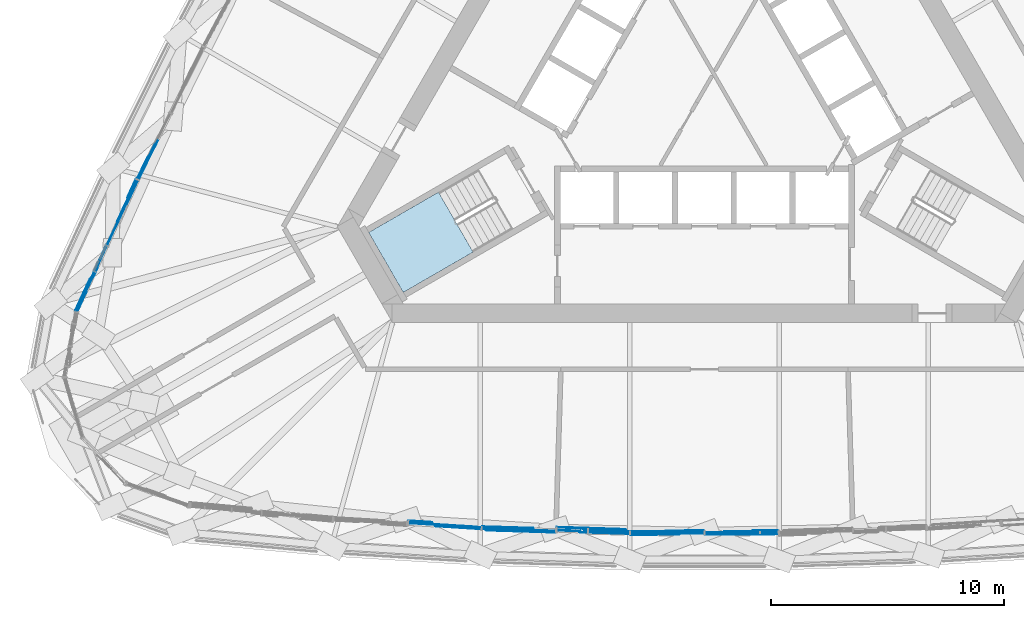
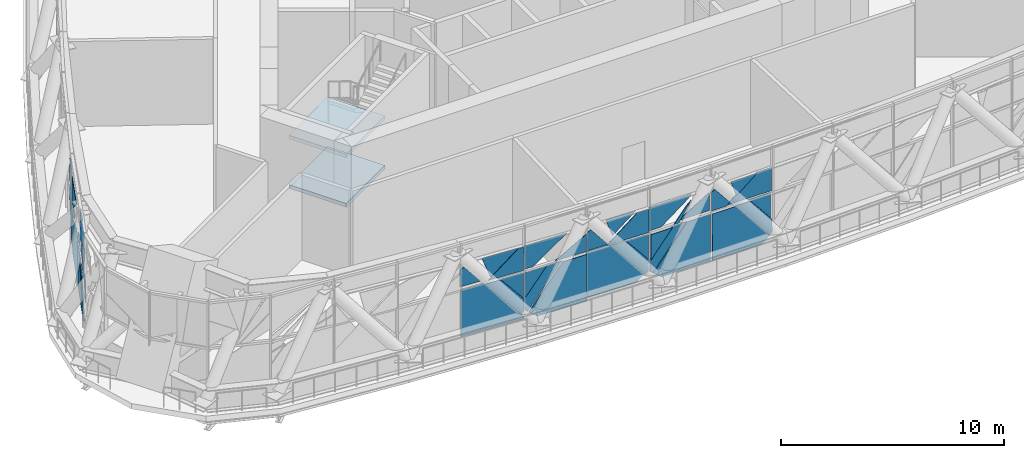
# One storey, part 11 of 35: 47 plates, 2 slabs, 3 elements without a shape of their own.
"""IFC4 building model written with IfcOpenShell, lengths in metres."""

from ifc_helpers import new_model, si_unit, direction, frame, origin, place, context, subcontext, project, spatial, polyline, outline, extrude, material, layer, layer_set, type_object, element, aggregate, save


model = new_model("IFC4")

# Units and contexts
model_context = context("Model", 3, precision=1e-05, world=origin(), true_north=direction((0.0, 1.0)))
body_context = subcontext(model_context, "Body", "Model", "MODEL_VIEW")
ifc_project = project(units=[si_unit("LENGTHUNIT", "METRE"), si_unit("AREAUNIT", "SQUARE_METRE"), si_unit("VOLUMEUNIT", "CUBIC_METRE"), si_unit("PLANEANGLEUNIT", "RADIAN"), si_unit("MASSUNIT", "GRAM", prefix="KILO")], contexts=[model_context])

# Site, building, storey
site_placement = place(None, origin())
site = spatial("IfcSite", under=ifc_project, at=site_placement, CompositionType="ELEMENT")
building_placement = place(site_placement, origin())
building = spatial("IfcBuilding", under=site, at=building_placement, Name="Mestral Congress Tower", CompositionType="ELEMENT")
storey_placement = place(building_placement, frame((0.0, 0.0, 196.199951171875)))
storey = spatial("IfcBuildingStorey", under=building, at=storey_placement, Name="L46", CompositionType="ELEMENT", Elevation=196.199951171875)

# Stair, slabs
ifc_material_1 = material(Name="Concrete C60/75", Category="concrete")
stair_type = type_object("IfcStairType", Name="Exit stair 1400", PredefinedType="HALF_TURN_STAIR", material=ifc_material_1)
placement = place(storey_placement, origin())
stair = element("IfcStair", 1, at=placement, inside=storey, type_object=stair_type, Name="L46 ST3", PredefinedType="HALF_TURN_STAIR")
ifc_layer_1 = layer(ifc_material_1, 0.199951171875)
ifc_layer_set_1 = layer_set([ifc_layer_1], Name="Concrete C60/75")
slab_type = type_object("IfcSlabType", Name="Exit stair landing 200", PredefinedType="LANDING", material=ifc_layer_set_1)
slab_1_placement = place(storey_placement, frame((0.0, 0.0, 1.150146484375)))
slab_1 = element("IfcSlab", 2, at=slab_1_placement, type_object=slab_type, Name="ST3 landing 1", PredefinedType="LANDING", context=body_context, shape_type="SweptSolid", body=[
    extrude(outline(polyline([(-11.39453125, -4.864013671875), (-9.90966796875, -7.43603515625), (-12.906005859375, -9.166015625), (-14.39111328125, -6.593994140625), (-11.39453125, -4.864013671875)])), origin(), (0.0, 0.0, 1.0), 0.199951171875),
])
slab_2_placement = place(storey_placement, frame((0.0, 0.0, 3.85009765625)))
slab_2 = element("IfcSlab", 3, at=slab_2_placement, type_object=slab_type, Name="ST3 landing 3", PredefinedType="LANDING", context=body_context, shape_type="SweptSolid", body=[
    extrude(outline(polyline([(-11.39453125, -4.864013671875), (-9.90966796875, -7.43603515625), (-12.906005859375, -9.166015625), (-14.39111328125, -6.593994140625), (-11.39453125, -4.864013671875)])), origin(), (0.0, 0.0, 1.0), 0.199951171875),
])
aggregate(stair, [slab_1, slab_2])

# Curtain wall, plates
ifc_material_2 = material(Name="Clear low-emissivity double glazing", Category="glass")
curtain_wall_type = type_object("IfcCurtainWallType", Name="Facade refuge band screen", PredefinedType="USERDEFINED", material=ifc_material_2)
curtain_wall_1 = element("IfcCurtainWall", 4, at=placement, inside=storey, type_object=curtain_wall_type, Name="Facade refuge band screen face 1", ObjectType="CURTAIN WALL", PredefinedType="USERDEFINED")
ifc_material_3 = material(Name="Anodised aluminium", Category="aluminium")
ifc_layer_2 = layer(ifc_material_3, 0.028076171875)
ifc_layer_set_2 = layer_set([ifc_layer_2], Name="Anodised aluminium")
plate_type_1 = type_object("IfcPlateType", Name="Facade refuge band screen brace cover panel", PredefinedType="CURTAIN_PANEL", material=ifc_layer_set_2)
plate_1_placement = place(storey_placement, frame((-9.577392578125, -19.318115234375, 0.460693359375), z_axis=(-0.061023644029, -0.99813441848, 0.001948721159), x_axis=(-0.76849229086, 0.04573781039, -0.638222258769)))
plate_1 = element("IfcPlate", 5, at=plate_1_placement, type_object=plate_type_1, Name="Facade refuge band screen brace cover panel", PredefinedType="CURTAIN_PANEL", context=body_context, shape_type="SweptSolid", body=[
    extrude(outline(polyline([(0.0, 0.0), (0.1836157992870944, 0.0), (0.18404107270332504, -2.853550162548833), (-0.434910943885235, -2.3404253584465913), (-0.4348265710872918, -0.524622245179482), (0.0, 0.0)])), origin(), (0.0, 0.0, -1.0), 0.028076171875),
])
plate_2_placement = place(storey_placement, frame((-9.57470703125, -19.2734375, 3.93798828125), z_axis=(-0.06105564799, -0.998132392485, 0.001983663495), x_axis=(-4.679729e-06, -0.00198708495, -0.999998025734)))
plate_2 = element("IfcPlate", 6, at=plate_2_placement, type_object=plate_type_1, Name="Facade refuge band screen brace cover panel", PredefinedType="CURTAIN_PANEL", context=body_context, shape_type="SweptSolid", body=[
    extrude(outline(polyline([(0.0, 0.0), (1.2778343597510302, -2.710505431213761e-20), (1.277628662597248, -1.7650056297695351), (-2.8927436589909136e-05, -0.24631512388586035), (0.0, 0.0)])), origin(), (0.0, 0.0, -1.0), 0.028076171875),
])
plate_3_placement = place(storey_placement, frame((-9.818603515625, -19.228515625, 3.93798828125), z_axis=(-0.06104418895, -0.998133129248, 0.001965526111), x_axis=(-0.763834013307, 0.04544704493, -0.643810660227)))
plate_3 = element("IfcPlate", 7, at=plate_3_placement, type_object=plate_type_1, Name="Facade refuge band screen brace cover panel", PredefinedType="CURTAIN_PANEL", context=body_context, shape_type="SweptSolid", body=[
    extrude(outline(polyline([(0.0, 0.0), (1.8103573235932395, 1.1102230246251565e-16), (1.386305187480114, -1.1664122969354167), (0.0, 0.0)])), origin(), (0.0, 0.0, -1.0), 0.028076171875),
])
plate_4_placement = place(storey_placement, frame((-12.68408203125, -18.969482421875, 2.66015625), z_axis=(-0.06115877898, -0.998126397323, 0.001816238027), x_axis=(-4.129866e-06, 0.001819897362, 0.999998343977)))
plate_4 = element("IfcPlate", 8, at=plate_4_placement, type_object=plate_type_1, Name="Facade refuge band screen brace cover panel", PredefinedType="CURTAIN_PANEL", context=body_context, shape_type="SweptSolid", body=[
    extrude(outline(polyline([(0.0, 0.0), (0.9055191887431261, 1.3552527156068805e-20), (1.0239046078511087, -0.1981290225085856), (-0.00012072483811216938, -1.0468778380384411), (0.0, 0.0)])), origin(), (0.0, 0.0, -1.0), 0.028076171875),
])
plate_5_placement = place(storey_placement, frame((-7.61328125, -19.3369140625, 2.5400390625), z_axis=(-0.030435927745, -0.999534698698, 0.002010074819), x_axis=(-0.624844690956, 0.017456878863, -0.780553886393)))
plate_5 = element("IfcPlate", 9, at=plate_5_placement, type_object=plate_type_1, Name="Facade refuge band screen brace cover panel", PredefinedType="CURTAIN_PANEL", context=body_context, shape_type="SweptSolid", body=[
    extrude(outline(polyline([(0.0, 0.0), (2.8049990532725038, 0.0), (2.8049872859216296, -0.19058389092272443), (2.270706854530342, -0.6181922705090634), (0.4951414950632373, -0.6182912347660031), (0.0, 0.0)])), origin(), (0.0, 0.0, -1.0), 0.028076171875),
])
plate_6_placement = place(storey_placement, frame((-7.99169921875, -19.355224609375, 2.66015625), z_axis=(-0.030557349516, -0.99953090267, 0.00205499349), x_axis=(0.858364707726, -0.025188143647, 0.512421297322)))
plate_6 = element("IfcPlate", 10, at=plate_6_placement, type_object=plate_type_1, Name="Facade refuge band screen brace cover panel", PredefinedType="CURTAIN_PANEL", context=body_context, shape_type="SweptSolid", body=[
    extrude(outline(polyline([(0.0, 0.0), (1.8609946273375644, -1.1102230246251565e-16), (1.3721825065125766, -0.8188069827577683), (0.0, 0.0)])), origin(), (0.0, 0.0, -1.0), 0.028076171875),
])
plate_7_placement = place(storey_placement, frame((-7.343994140625, -19.284423828125, 3.911865234375), z_axis=(-0.030602665066, -0.999529156031, 0.00222331604), x_axis=(-0.8089643629, 0.023461560082, -0.587389321282)))
plate_7 = element("IfcPlate", 11, at=plate_7_placement, type_object=plate_type_1, Name="Facade refuge band screen brace cover panel", PredefinedType="CURTAIN_PANEL", context=body_context, shape_type="SweptSolid", body=[
    extrude(outline(polyline([(0.0, 0.0), (2.1309697354656594, 0.0), (2.4911374397061623, -0.26140911958968904), (1.7406155572776671, -1.2956135441008374), (-0.03313095047810856, -0.008232483851679871), (0.0, 0.0)])), origin(), (0.0, 0.0, -1.0), 0.028076171875),
])
plate_8_placement = place(storey_placement, frame((-3.211669921875, -19.43359375, 0.46875), z_axis=(-0.030599762174, -0.99952984992, 0.001932271789), x_axis=(-0.773312070385, 0.02244937847, -0.633628019585)))
plate_8 = element("IfcPlate", 12, at=plate_8_placement, type_object=plate_type_1, Name="Facade refuge band screen brace cover panel", PredefinedType="CURTAIN_PANEL", context=body_context, shape_type="SweptSolid", body=[
    extrude(outline(polyline([(0.0, 0.0), (0.18879942297346858, 0.0), (0.18955592179204994, -2.832596613440632), (-0.4283579961780206, -2.326508733871167), (-0.42881393019289205, -0.5232509339170747), (0.0, 0.0)])), origin(), (0.0, 0.0, -1.0), 0.028076171875),
])
plate_9_placement = place(storey_placement, frame((-3.214111328125, -19.5185546875, 3.93798828125), z_axis=(-0.030508601954, -0.999532544597, 0.001979266946), x_axis=(-2.122645e-06, -0.001980123926, -0.99999803955)))
plate_9 = element("IfcPlate", 13, at=plate_9_placement, type_object=plate_type_1, Name="Facade refuge band screen brace cover panel", PredefinedType="CURTAIN_PANEL", context=body_context, shape_type="SweptSolid", body=[
    extrude(outline(polyline([(0.0, 0.0), (1.2778343604116906, 0.0), (1.2777088914188468, -2.1555416989852705), (-3.54564219404776e-05, -0.6052649294613152), (0.0, 0.0)])), origin(), (0.0, 0.0, -1.0), 0.028076171875),
])
plate_10_placement = place(storey_placement, frame((-3.814453125, -19.343994140625, 3.93798828125), z_axis=(-0.030450021081, -0.999534025331, 0.002128009039), x_axis=(-0.771245217231, 0.022141011021, -0.636152961581)))
plate_10 = element("IfcPlate", 14, at=plate_10_placement, type_object=plate_type_1, Name="Facade refuge band screen brace cover panel", PredefinedType="CURTAIN_PANEL", context=body_context, shape_type="SweptSolid", body=[
    extrude(outline(polyline([(0.0, 0.0), (1.521674245952659, 0.0), (1.1691870065395065, -0.9639972875876787), (0.0, 0.0)])), origin(), (0.0, 0.0, -1.0), 0.028076171875),
])
plate_11_placement = place(storey_placement, frame((-5.3671875, -19.4052734375, 2.66015625), z_axis=(-0.030494322089, -0.999532904367, 0.002017277545), x_axis=(-0.999534938119, 0.030494384389, 1.25807e-07)))
plate_11 = element("IfcPlate", 15, at=plate_11_placement, type_object=plate_type_1, Name="Facade refuge band screen brace cover panel", PredefinedType="CURTAIN_PANEL", context=body_context, shape_type="SweptSolid", body=[
    extrude(outline(polyline([(0.0, 0.0), (0.966760035543555, 1.3552527156068805e-20), (0.9668197193741469, -0.9895038779343892), (0.7924280508449735, -1.0935079800138208), (-0.061790960416756587, -0.050781508228173976), (0.0, 0.0)])), origin(), (0.0, 0.0, -1.0), 0.028076171875),
])
plate_12_placement = place(storey_placement, frame((-1.23095703125, -19.472412109375, 2.5400390625), z_axis=(-0.000142190658, -0.999997915864, 0.002036676245), x_axis=(-0.629481680685, -0.001493022428, -0.777013889558)))
plate_12 = element("IfcPlate", 16, at=plate_12_placement, type_object=plate_type_1, Name="Facade refuge band screen brace cover panel", PredefinedType="CURTAIN_PANEL", context=body_context, shape_type="SweptSolid", body=[
    extrude(outline(polyline([(0.0, 0.0), (2.8165223011562217, 2.220446049250313e-16), (2.816437835399308, -0.19110395782939982), (2.2902063913696065, -0.6174186347601246), (0.500235075837433, -0.6174767668870311), (0.0, 0.0)])), origin(), (0.0, 0.0, -1.0), 0.028076171875),
])
plate_13_placement = place(storey_placement, frame((-1.689453125, -19.39404296875, 2.66015625), z_axis=(0.0, -0.999998034552, 0.0019826479), x_axis=(0.85989421797, 0.001012086765, 0.510471262249)))
plate_13 = element("IfcPlate", 17, at=plate_13_placement, type_object=plate_type_1, Name="Facade refuge band screen brace cover panel", PredefinedType="CURTAIN_PANEL", context=body_context, shape_type="SweptSolid", body=[
    extrude(outline(polyline([(0.0, 0.0), (1.9297999607937357, 0.0), (1.4269289549661017, -0.8470898410607804), (0.0, 0.0)])), origin(), (0.0, 0.0, -1.0), 0.028076171875),
])
plate_14_placement = place(storey_placement, frame((-1.1826171875, -19.424072265625, 3.692138671875), z_axis=(-6.443957e-06, -0.99999815956, 0.001918550502), x_axis=(-0.797162456581, -0.001153216523, -0.603763768297)))
plate_14 = element("IfcPlate", 18, at=plate_14_placement, type_object=plate_type_1, Name="Facade refuge band screen brace cover panel", PredefinedType="CURTAIN_PANEL", context=body_context, shape_type="SweptSolid", body=[
    extrude(outline(polyline([(0.0, 0.0), (1.7092486192642515, 0.0), (2.193267913580152, -0.3665925856252238), (1.4217564156714082, -1.3852341658897842), (-0.32203645810039244, -0.06449851361716438), (0.0, 0.0)])), origin(), (0.0, 0.0, -1.0), 0.028076171875),
])
plate_15_placement = place(storey_placement, frame((-1.2880859375, -19.538330078125, 3.46484375), z_axis=(-0.00055276774, -0.999996965595, 0.002400676642), x_axis=(0.752910819044, 0.001163755696, 0.658121526953)))
plate_15 = element("IfcPlate", 19, at=plate_15_placement, type_object=plate_type_1, Name="Facade refuge band screen brace cover panel", PredefinedType="CURTAIN_PANEL", context=body_context, shape_type="SweptSolid", body=[
    extrude(outline(polyline([(0.0, 0.0), (0.3168043989208232, 0.0), (-0.8151252888306064, -0.34491749783111414), (-0.831777852938516, -0.34171057321304715), (-1.0205570060532723, -0.17669796908988633), (0.0, 0.0)])), origin(), (0.0, 0.0, -1.0), 0.028076171875),
])
plate_16_placement = place(storey_placement, frame((3.15234375, -19.518310546875, 0.471923828125), z_axis=(0.000142190658, -0.999997915864, 0.002036676245), x_axis=(-0.776737011408, -0.001393194265, -0.629823526171)))
plate_16 = element("IfcPlate", 20, at=plate_16_placement, type_object=plate_type_1, Name="Facade refuge band screen brace cover panel", PredefinedType="CURTAIN_PANEL", context=body_context, shape_type="SweptSolid", body=[
    extrude(outline(polyline([(0.0, 0.0), (0.19110397649584698, 0.0), (0.18985910607297973, -2.8165220260470134), (-0.42739650235786597, -2.316014081450716), (-0.42654722352795665, -0.5260429664511492), (0.0, 0.0)])), origin(), (0.0, 0.0, -1.0), 0.028076171875),
])
plate_17_placement = place(storey_placement, frame((3.15234375, -19.431396484375, 3.93798828125), z_axis=(0.0, -0.999997791555, 0.002101638461), x_axis=(0.0, -0.002101638461, -0.999997791555)))
plate_17 = element("IfcPlate", 21, at=plate_17_placement, type_object=plate_type_1, Name="Facade refuge band screen brace cover panel", PredefinedType="CURTAIN_PANEL", context=body_context, shape_type="SweptSolid", body=[
    extrude(outline(polyline([(0.0, 0.0), (1.2778348532774175, 0.0), (1.2778348532774175, -2.34130859375), (0.0, -0.77099609375), (0.0, 0.0)])), origin(), (0.0, 0.0, -1.0), 0.028076171875),
])
plate_18_placement = place(storey_placement, frame((2.38134765625, -19.50146484375, 3.93798828125), z_axis=(0.0, -0.999998066853, 0.001966288334), x_axis=(-0.775652236033, -0.001241043578, -0.631159305206)))
plate_18 = element("IfcPlate", 22, at=plate_18_placement, type_object=plate_type_1, Name="Facade refuge band screen brace cover panel", PredefinedType="CURTAIN_PANEL", context=body_context, shape_type="SweptSolid", body=[
    extrude(outline(polyline([(0.0, 0.0), (1.3770542838090827, -1.1102230246251565e-16), (1.0600833050076577, -0.8626065968771057), (0.0, 0.0)])), origin(), (0.0, 0.0, -1.0), 0.028076171875),
])
plate_19_placement = place(storey_placement, frame((0.81103515625, -19.471923828125, 2.66015625), z_axis=(-1.3048124e-05, -0.999998153706, 0.001921565386), x_axis=(-0.999999999915, 1.30481e-05, -2.5073e-08)))
plate_19 = element("IfcPlate", 23, at=plate_19_placement, type_object=plate_type_1, Name="Facade refuge band screen brace cover panel", PredefinedType="CURTAIN_PANEL", context=body_context, shape_type="SweptSolid", body=[
    extrude(outline(polyline([(0.0, 0.0), (0.7810058593085155, 0.0), (0.7810058591999522, -1.0207538216614924), (0.602050781612994, -1.1269552665991636), (-0.1875000006181554, -0.15234393787385261), (0.0, 0.0)])), origin(), (0.0, 0.0, -1.0), 0.028076171875),
])

curtain_wall_2 = element("IfcCurtainWall", 24, at=placement, inside=storey, type_object=curtain_wall_type, Name="Facade refuge band screen face 3", ObjectType="CURTAIN WALL", PredefinedType="USERDEFINED")
plate_20_placement = place(storey_placement, frame((-24.26416015625, -4.311279296875, 0.462646484375), z_axis=(-0.894834929235, 0.446393186062, 0.001890200366), x_axis=(0.349098003265, 0.702424509585, -0.620266388297)))
plate_20 = element("IfcPlate", 25, at=plate_20_placement, type_object=plate_type_1, Name="Facade refuge band screen brace cover panel", PredefinedType="CURTAIN_PANEL", context=body_context, shape_type="SweptSolid", body=[
    extrude(outline(polyline([(0.0, 0.0), (0.18735641512953508, 0.0), (0.18792620149572903, -2.797026694235508), (-0.43203727970193007, -2.3067821155224615), (-0.4322558343725723, -0.5468048754481003), (0.0, 0.0)])), origin(), (0.0, 0.0, -1.0), 0.028076171875),
])
plate_21_placement = place(storey_placement, frame((-24.2919921875, -4.29736328125, 3.93798828125), z_axis=(-0.894893661873, 0.446274763544, 0.002041901919), x_axis=(-0.001788238016, 0.000989558057, -0.999997911488)))
plate_21 = element("IfcPlate", 26, at=plate_21_placement, type_object=plate_type_1, Name="Facade refuge band screen brace cover panel", PredefinedType="CURTAIN_PANEL", context=body_context, shape_type="SweptSolid", body=[
    extrude(outline(polyline([(0.0, 0.0), (1.2778344996725486, 1.4907779871675686e-19), (1.2779814390911868, -1.6769428180213095), (0.00011735139318753691, -1.3433883448105308), (0.0, 0.0)])), origin(), (0.0, 0.0, -1.0), 0.028076171875),
])
plate_22_placement = place(storey_placement, frame((-24.408203125, -4.45849609375, 0.334716796875), z_axis=(-0.90812309525, 0.418698516666, 0.001999003351), x_axis=(0.321987005641, 0.695295869823, 0.642563632339)))
plate_22 = element("IfcPlate", 27, at=plate_22_placement, type_object=plate_type_1, Name="Facade refuge band screen brace cover panel", PredefinedType="CURTAIN_PANEL", context=body_context, shape_type="SweptSolid", body=[
    extrude(outline(polyline([(0.0, 0.0), (0.17591581490802133, -1.3877787807814457e-17), (0.6200721269695771, -0.5298771541196742), (0.6195327179248648, -1.8828964167531268), (0.14269031377939934, -2.758486873936989), (-0.0012773690386520542, -2.8792189718660284), (0.0, 0.0)])), origin(), (0.0, 0.0, -1.0), 0.028076171875),
])
plate_23_placement = place(storey_placement, frame((-24.318115234375, -4.351806640625, 3.93798828125), z_axis=(-0.90813475814, 0.418673495236, 0.001940475222), x_axis=(-0.418674283526, -0.908136467891, -2.3703e-08)))
plate_23 = element("IfcPlate", 28, at=plate_23_placement, type_object=plate_type_1, Name="Facade refuge band screen brace cover panel", PredefinedType="CURTAIN_PANEL", context=body_context, shape_type="SweptSolid", body=[
    extrude(outline(polyline([(0.0, 0.0), (2.201249223487349, -2.168404344971009e-19), (0.7025387570772315, -1.277834420407287), (-0.0001885961250512205, -1.2778344892392706), (0.0, 0.0)])), origin(), (0.0, 0.0, -1.0), 0.028076171875),
])
plate_24_placement = place(storey_placement, frame((-26.958984375, -9.919189453125, 0.339111328125), z_axis=(-0.90811888864, 0.418707561655, 0.002015417566), x_axis=(0.259114524713, 0.558189609662, 0.788215720947)))
plate_24 = element("IfcPlate", 29, at=plate_24_placement, type_object=plate_type_1, Name="Facade refuge band screen brace cover panel", PredefinedType="CURTAIN_PANEL", context=body_context, shape_type="SweptSolid", body=[
    extrude(outline(polyline([(0.0, 0.0), (2.4955613373637933, 0.0), (2.504916151706819, -0.36807797954422294), (2.3071456924324165, -0.621387061213008), (0.7704190640687244, -0.6215341902357616), (6.585025170160672e-05, -0.02014851113530344), (0.0, 0.0)])), origin(), (0.0, 0.0, -1.0), 0.028076171875),
])

# Plate
ifc_layer_3 = layer(ifc_material_2, 0.028076171875)
ifc_layer_set_3 = layer_set([ifc_layer_3], Name="Clear low-emissivity double glazing")
plate_type_2 = type_object("IfcPlateType", Name="Facade refuge band screen panel", PredefinedType="CURTAIN_PANEL", material=ifc_layer_set_3)
plate_25_placement = place(storey_placement, frame((-12.689697265625, -19.057861328125, 2.5400390625), z_axis=(-0.060978792267, -0.998137009474, 0.002024157168), x_axis=(0.998139054303, -0.060978916639, 2.72254e-07)))
plate_25 = element("IfcPlate", 30, at=plate_25_placement, type_object=plate_type_2, Name="Refuge screen glass unit", PredefinedType="CURTAIN_PANEL", context=body_context, shape_type="SweptSolid", body=[
    extrude(outline(polyline([(0.0, 0.0), (1.1596191805079477, -2.710505431213761e-20), (3.1223062509159156, -2.3671929780871985), (3.1223359787181098, -2.540045173008879), (5.337078927270659e-05, -2.5400437542913417), (0.0, 0.0)])), origin(), (0.0, 0.0, -1.0), 0.028076171875),
])

plate_26_placement = place(storey_placement, frame((-9.574951171875, -19.2783203125, 2.5400390625), z_axis=(-0.061092816763, -0.998130226984, 0.001928139244), x_axis=(-0.000174641659, -0.001921058249, -0.999998139516)))
plate_26 = element("IfcPlate", 31, at=plate_26_placement, type_object=plate_type_2, Name="Refuge screen glass unit", PredefinedType="CURTAIN_PANEL", context=body_context, shape_type="SweptSolid", body=[
    extrude(outline(polyline([(0.0, 0.0), (1.3979518196169702, 1.3552527156068805e-20), (6.600226761576487e-05, -1.1589030147421808), (0.0, 0.0)])), origin(), (0.0, 0.0, -1.0), 0.028076171875),
])

plate_27_placement = place(storey_placement, frame((-6.396240234375, -19.458251953125, 2.5400390625), z_axis=(-0.030562622672, -0.999530734682, 0.002058281347), x_axis=(-1.246161e-06, -0.002059205211, -0.999997879834)))
plate_27 = element("IfcPlate", 32, at=plate_27_placement, type_object=plate_type_2, Name="Refuge screen glass unit", PredefinedType="CURTAIN_PANEL", context=body_context, shape_type="SweptSolid", body=[
    extrude(outline(polyline([(0.0, 0.0), (2.5400442346439434, 0.0), (2.5398880260476737, -2.535849223926785), (2.189274218375902, -2.973555990810697), (-7.539857857860802e-05, -1.2202983911138845), (0.0, 0.0)])), origin(), (0.0, 0.0, -1.0), 0.028076171875),
])

plate_28_placement = place(storey_placement, frame((-9.515380859375, -19.308837890625, 2.5400390625), z_axis=(-0.030575418555, -0.999530229587, 0.002112799499), x_axis=(0.999532460507, -0.030575486798, 0.0)))
plate_28 = element("IfcPlate", 33, at=plate_28_placement, type_object=plate_type_2, Name="Refuge screen glass unit", PredefinedType="CURTAIN_PANEL", context=body_context, shape_type="SweptSolid", body=[
    extrude(outline(polyline([(0.0, 0.0), (1.1098939192403503, 0.0), (8.957662147874314e-05, -1.3859894216025954), (0.0, 0.0)])), origin(), (0.0, 0.0, -1.0), 0.028076171875),
])

plate_29_placement = place(storey_placement, frame((-3.212646484375, -19.471435546875, 2.5400390625), z_axis=(-0.030547765898, -0.999531445013, 0.001929878113), x_axis=(-0.000175039057, -0.001925429624, -0.999998131039)))
plate_29 = element("IfcPlate", 34, at=plate_29_placement, type_object=plate_type_2, Name="Refuge screen glass unit", PredefinedType="CURTAIN_PANEL", context=body_context, shape_type="SweptSolid", body=[
    extrude(outline(polyline([(0.0, 0.0), (1.3947779974102632, -2.710505431213761e-20), (0.00013273225345976556, -1.1428673455923148), (0.0, 0.0)])), origin(), (0.0, 0.0, -1.0), 0.028076171875),
])

plate_30_placement = place(storey_placement, frame((-3.78076171875, -19.3251953125, 0.0), z_axis=(-0.030529708228, -0.999531832274, 0.002013252937), x_axis=(-0.999533857923, 0.030529770146, 2.3227e-08)))
plate_30 = element("IfcPlate", 35, at=plate_30_placement, type_object=plate_type_2, Name="Refuge screen glass unit", PredefinedType="CURTAIN_PANEL", context=body_context, shape_type="SweptSolid", body=[
    extrude(outline(polyline([(0.0, 0.0), (2.5500176936998935, -2.710505431213761e-20), (2.5501742773966516, -2.5400442319059873), (1.369201472455179, -2.5400441022606643), (-0.42619947201399844, -0.34912201702437295), (0.0, 0.0)])), origin(), (0.0, 0.0, -1.0), 0.028076171875),
])

plate_31_placement = place(storey_placement, frame((-3.15234375, -19.56640625, 2.5400390625), z_axis=(0.0, -0.999998135932, 0.001930837194), x_axis=(1.0, 0.0, 0.0)))
plate_31 = element("IfcPlate", 36, at=plate_31_placement, type_object=plate_type_2, Name="Refuge screen glass unit", PredefinedType="CURTAIN_PANEL", context=body_context, shape_type="SweptSolid", body=[
    extrude(outline(polyline([(0.0, 0.0), (1.126708984375, 0.0), (0.0, -1.390871733304313), (0.0, 0.0)])), origin(), (0.0, 0.0, -1.0), 0.028076171875),
])

plate_32_placement = place(storey_placement, frame((-0.030029296875, -19.50634765625, 2.5400390625), z_axis=(-5.23127e-06, -0.999997957344, 0.002021207746), x_axis=(-1.4e-11, -0.002021207746, -0.999997957358)))
plate_32 = element("IfcPlate", 37, at=plate_32_placement, type_object=plate_type_2, Name="Refuge screen glass unit", PredefinedType="CURTAIN_PANEL", context=body_context, shape_type="SweptSolid", body=[
    extrude(outline(polyline([(0.0, 0.0), (2.5400442367457243, 0.0), (2.5400442367823604, -2.539794921840248), (2.188480974528346, -2.9738769532036278), (1.7323170182874795e-11, -1.2009277343585676), (0.0, 0.0)])), origin(), (0.0, 0.0, -1.0), 0.028076171875),
])

plate_33_placement = place(storey_placement, frame((3.15234375, -19.38037109375, 2.5400390625), z_axis=(0.0, -0.999998135932, 0.001930837194), x_axis=(0.0, -0.001930837194, -0.999998135932)))
plate_33 = element("IfcPlate", 38, at=plate_33_placement, type_object=plate_type_2, Name="Refuge screen glass unit", PredefinedType="CURTAIN_PANEL", context=body_context, shape_type="SweptSolid", body=[
    extrude(outline(polyline([(0.0, 0.0), (1.390871733304313, 0.0), (0.0, -1.126708984375), (0.0, 0.0)])), origin(), (0.0, 0.0, -1.0), 0.028076171875),
])

plate_34_placement = place(storey_placement, frame((2.56982421875, -19.553466796875, 0.0), z_axis=(5.23127e-06, -0.999997957344, 0.002021207746), x_axis=(-0.999999999986, -5.231259e-06, 1.0573e-08)))
plate_34 = element("IfcPlate", 39, at=plate_34_placement, type_object=plate_type_2, Name="Refuge screen glass unit", PredefinedType="CURTAIN_PANEL", context=body_context, shape_type="SweptSolid", body=[
    extrude(outline(polyline([(0.0, 0.0), (2.539794921840248, 4.201738238471263e-24), (2.5397949218768874, -2.540044236745724), (1.33886718751832, -2.540044236745724), (-0.4340820313583089, -0.3515632622602764), (0.0, 0.0)])), origin(), (0.0, 0.0, -1.0), 0.028076171875),
])

aggregate(curtain_wall_1, [plate_25, plate_26, plate_1, plate_2, plate_3, plate_4, plate_27, plate_28, plate_5, plate_6, plate_7, plate_29, plate_30, plate_8, plate_9, plate_10, plate_11, plate_31, plate_32, plate_12, plate_13, plate_14, plate_15, plate_33, plate_34, plate_16, plate_17, plate_18, plate_19])

plate_35_placement = place(storey_placement, frame((-24.3212890625, -4.28271484375, 2.5400390625), z_axis=(-0.894916736733, 0.446228780045, 0.001977416213), x_axis=(-0.001768655898, 0.000884327949, -0.999998044908)))
plate_35 = element("IfcPlate", 40, at=plate_35_placement, type_object=plate_type_2, Name="Refuge screen glass unit", PredefinedType="CURTAIN_PANEL", context=body_context, shape_type="SweptSolid", body=[
    extrude(outline(polyline([(0.0, 0.0), (1.380373792507366, 1.5966571055743561e-19), (2.374904160337395e-06, -1.0920490935743203), (0.0, 0.0)])), origin(), (0.0, 0.0, -1.0), 0.028076171875),
])

plate_36_placement = place(storey_placement, frame((-25.60595703125, -7.126220703125, 0.0), z_axis=(-0.908114848582, 0.418716199411, 0.002041111207), x_axis=(0.418717071491, 0.908116740316, -7.3909e-08)))
plate_36 = element("IfcPlate", 41, at=plate_36_placement, type_object=plate_type_2, Name="Refuge screen glass unit", PredefinedType="CURTAIN_PANEL", context=body_context, shape_type="SweptSolid", body=[
    extrude(outline(polyline([(0.0, 0.0), (2.525466868934372, 0.0), (2.924267536886915, -0.33471779224859366), (1.0728796696516654, -2.5400442444584344), (-5.327032495580708e-05, -2.5400442473969966), (0.0, 0.0)])), origin(), (0.0, 0.0, -1.0), 0.028076171875),
])

plate_37_placement = place(storey_placement, frame((-24.377685546875, -4.32421875, 1.13916015625), z_axis=(-0.907995949736, 0.418972315427, 0.002356728522), x_axis=(0.002108957231, -0.001054478615, 0.999997220183)))
plate_37 = element("IfcPlate", 42, at=plate_37_placement, type_object=plate_type_2, Name="Refuge screen glass unit", PredefinedType="CURTAIN_PANEL", context=body_context, shape_type="SweptSolid", body=[
    extrude(outline(polyline([(0.0, 0.0), (0.6945820089356951, -2.0328790734103208e-20), (1.0364440961575456, -0.8699604761639692), (0.0, 0.0)])), origin(), (0.0, 0.0, -1.0), 0.028076171875),
])

plate_38_placement = place(storey_placement, frame((-24.294677734375, -4.362548828125, 1.833740234375), z_axis=(-0.908151564861, 0.418637019111, 0.001944600464), x_axis=(0.001734124197, -0.000883221411, 0.999998106365)))
plate_38 = element("IfcPlate", 43, at=plate_38_placement, type_object=plate_type_2, Name="Refuge screen glass unit", PredefinedType="CURTAIN_PANEL", context=body_context, shape_type="SweptSolid", body=[
    extrude(outline(polyline([(0.0, 0.0), (0.2272955538318956, -2.0328790734103208e-20), (0.7063430004697667, -0.5616922450859303), (0.706385475683088, -1.1192429401770312), (0.3013287000272176, -0.7671765407657514), (0.0, 0.0)])), origin(), (0.0, 0.0, -1.0), 0.028076171875),
])

plate_39_placement = place(storey_placement, frame((-26.882080078125, -9.971923828125, 1.328857421875), z_axis=(-0.90812358344, 0.418697115503, 0.002069461364), x_axis=(0.25914086903, 0.558161785962, 0.788226763495)))
plate_39 = element("IfcPlate", 44, at=plate_39_placement, type_object=plate_type_2, Name="Refuge screen glass unit", PredefinedType="CURTAIN_PANEL", context=body_context, shape_type="SweptSolid", body=[
    extrude(outline(polyline([(0.0, 0.0), (1.5365903528252016, 1.1102230246251565e-16), (0.9545738360815434, -0.7454904936670753), (0.0, 0.0)])), origin(), (0.0, 0.0, -1.0), 0.028076171875),
])

plate_40_placement = place(storey_placement, frame((-25.631103515625, -7.1806640625, 0.0), z_axis=(-0.908111260363, 0.418723685499, 0.002100952985), x_axis=(0.002007908604, -0.000662832995, 0.999997764475)))
plate_40 = element("IfcPlate", 45, at=plate_40_placement, type_object=plate_type_2, Name="Refuge screen glass unit", PredefinedType="CURTAIN_PANEL", context=body_context, shape_type="SweptSolid", body=[
    extrude(outline(polyline([(0.0, 0.0), (1.067385323721223, 1.6263032587282567e-19), (2.3057972964556246, -1.5076342257016575), (0.3383854768272846, -3.0430276131987046), (-0.0006230260109346335, -2.608592921111967), (0.0, 0.0)])), origin(), (0.0, 0.0, -1.0), 0.028076171875),
])

plate_41_placement = place(storey_placement, frame((-25.65625, -7.1689453125, 1.0673828125), z_axis=(-0.908089565682, 0.418770612914, 0.002124725474), x_axis=(0.001934029446, -0.000879834227, 0.999997742708)))
plate_41 = element("IfcPlate", 46, at=plate_41_placement, type_object=plate_type_2, Name="Refuge screen glass unit", PredefinedType="CURTAIN_PANEL", context=body_context, shape_type="SweptSolid", body=[
    extrude(outline(polyline([(0.0, 0.0), (1.472659193728498, 9.825582188149884e-20), (1.4726480446365031, -1.0532725544882753), (1.0637085579379715, -1.2941034403700884), (0.0, 0.0)])), origin(), (0.0, 0.0, -1.0), 0.028076171875),
])

plate_42_placement = place(storey_placement, frame((-26.498779296875, -9.004150390625, 2.66015625), z_axis=(-0.908095563309, 0.418758408533, 0.001960403333), x_axis=(0.259973791632, 0.560081924965, 0.786588752139)))
plate_42 = element("IfcPlate", 47, at=plate_42_placement, type_object=plate_type_2, Name="Refuge screen glass unit", PredefinedType="CURTAIN_PANEL", context=body_context, shape_type="SweptSolid", body=[
    extrude(outline(polyline([(0.0, 0.0), (0.05183316143013905, 0.0), (0.08298718968363872, -1.3864709430301803), (-0.6417993145496407, -0.817575993940119), (0.0, 0.0)])), origin(), (0.0, 0.0, -1.0), 0.028076171875),
])

plate_43_placement = place(storey_placement, frame((-26.904052734375, -9.9619140625, 4.2607421875), z_axis=(-0.908113122583, 0.418720359214, 0.001953809482), x_axis=(-0.001679350555, 0.001023989918, -0.999998065611)))
plate_43 = element("IfcPlate", 48, at=plate_43_placement, type_object=plate_type_2, Name="Refuge screen glass unit", PredefinedType="CURTAIN_PANEL", context=body_context, shape_type="SweptSolid", body=[
    extrude(outline(polyline([(0.0, 0.0), (0.679200704895799, 2.710505431213761e-20), (1.5600602702266821, -1.0709263855602231), (1.1106761972228651, -1.4219823986872404), (0.624629252265797, -1.5891971767650968), (0.0, 0.0)])), origin(), (0.0, 0.0, -1.0), 0.028076171875),
])

plate_44_placement = place(storey_placement, frame((-26.468505859375, -8.94921875, 5.030029296875), z_axis=(-0.908134003429, 0.418675150414, 0.001936553821), x_axis=(-0.418675934967, -0.908135706533, 2.9362e-07)))
plate_44 = element("IfcPlate", 49, at=plate_44_placement, type_object=plate_type_2, Name="Refuge screen glass unit", PredefinedType="CURTAIN_PANEL", context=body_context, shape_type="SweptSolid", body=[
    extrude(outline(polyline([(0.0, 0.0), (1.1018864995677966, 0.0), (1.1018344300596932, -0.7692888368445383), (-0.48728285572099006, -1.3935569495858162), (-0.7638235579206883, -0.5891120182286644), (0.0, 0.0)])), origin(), (0.0, 0.0, -1.0), 0.028076171875),
])

plate_45_placement = place(storey_placement, frame((-26.21240234375, -8.53076171875, 3.636474609375), z_axis=(-0.908243360646, 0.418437036536, 0.002108150219), x_axis=(0.38865880017, 0.845453185933, -0.366269364603)))
plate_45 = element("IfcPlate", 50, at=plate_45_placement, type_object=plate_type_2, Name="Refuge screen glass unit", PredefinedType="CURTAIN_PANEL", context=body_context, shape_type="SweptSolid", body=[
    extrude(outline(polyline([(0.0, 0.0), (0.14064406951136024, 6.938893903907228e-18), (0.26156332956013584, -0.763090276876633), (-0.03752729900031776, -0.8497504690150853), (0.0, 0.0)])), origin(), (0.0, 0.0, -1.0), 0.028076171875),
])

plate_46_placement = place(storey_placement, frame((-26.0458984375, -8.104248046875, 5.030029296875), z_axis=(-0.908150735275, 0.418638859115, 0.001935886975), x_axis=(-0.418639643238, -0.908152437154, 1.91317e-07)))
plate_46 = element("IfcPlate", 51, at=plate_46_placement, type_object=plate_type_2, Name="Refuge screen glass unit", PredefinedType="CURTAIN_PANEL", context=body_context, shape_type="SweptSolid", body=[
    extrude(outline(polyline([(0.0, 0.0), (0.9443645249330616, 2.168404344971009e-19), (0.18064319316978036, -0.5891124665822088), (-0.015619171357374456, -0.0180662564423643), (0.0, 0.0)])), origin(), (0.0, 0.0, -1.0), 0.028076171875),
])

plate_47_placement = place(storey_placement, frame((-25.87939453125, -7.735107421875, 3.297607421875), z_axis=(-0.908151208282, 0.418637562032, 0.001993627855), x_axis=(-0.213864646707, -0.459832588746, -0.861867683125)))
plate_47 = element("IfcPlate", 52, at=plate_47_placement, type_object=plate_type_2, Name="Refuge screen glass unit", PredefinedType="CURTAIN_PANEL", context=body_context, shape_type="SweptSolid", body=[
    extrude(outline(polyline([(0.0, 0.0), (0.7396161151928419, 0.0), (0.24131288238812115, -0.846867654730034), (-0.10255273176674212, -0.6446331037431117), (0.0, 0.0)])), origin(), (0.0, 0.0, -1.0), 0.028076171875),
])

aggregate(curtain_wall_2, [plate_35, plate_20, plate_21, plate_36, plate_37, plate_38, plate_22, plate_23, plate_39, plate_40, plate_41, plate_24, plate_42, plate_43, plate_44, plate_45, plate_46, plate_47])

save(model, "model.ifc")
